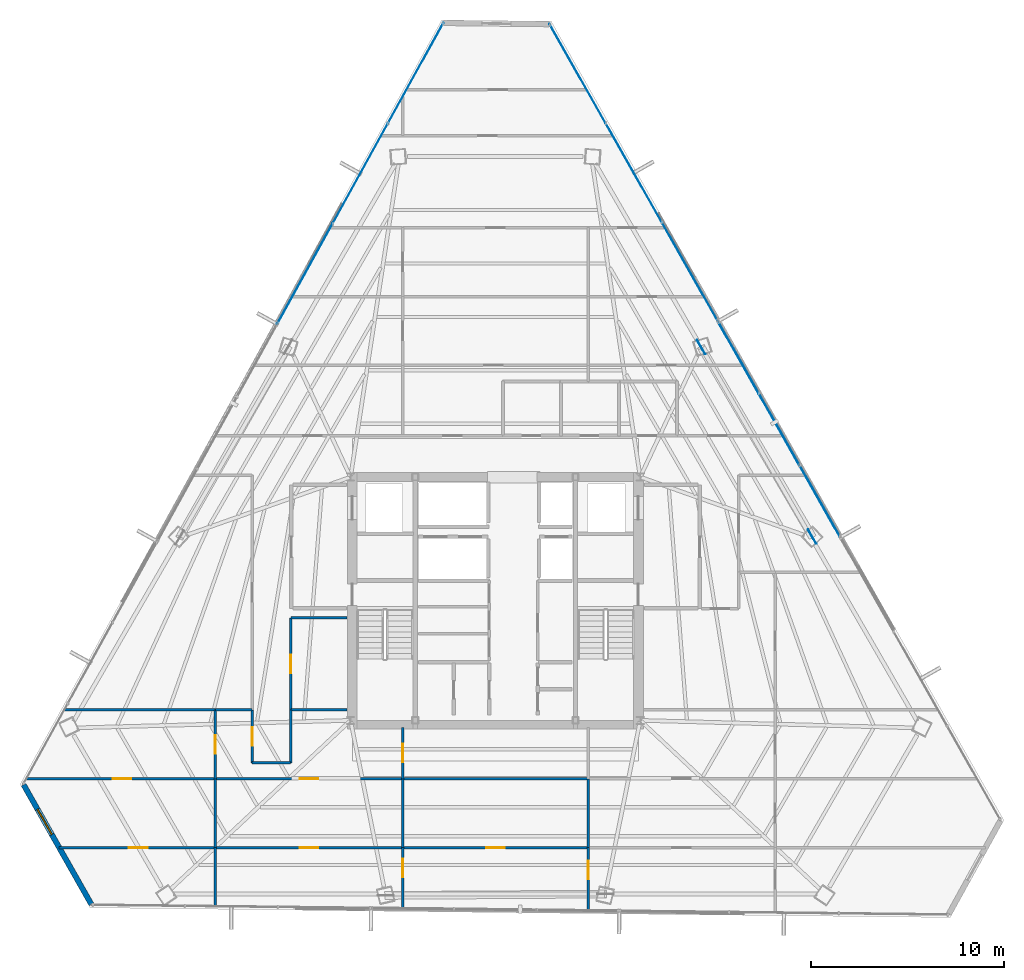
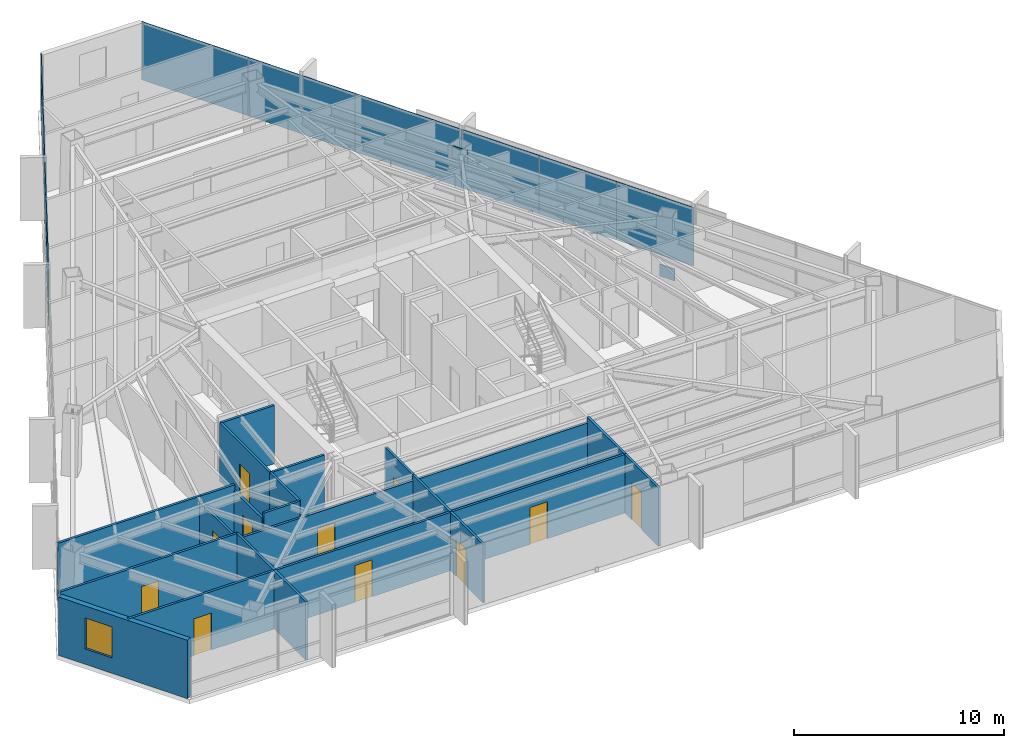
# One storey, part 35 of 42: 23 walls, 11 doors, 11 plates, 1 window, 12 openings, 3 elements without a shape of their own.
"""IFC4 building model written with IfcOpenShell, lengths in metres."""

from ifc_helpers import new_model, si_unit, direction, frame, frame_2d, origin, origin_2d, place, context, subcontext, project, spatial, rectangle, extrude, source, transform, mapped, material, layer, layer_set, type_object, type_shapes, element, fill, aggregate, save


model = new_model("IFC4")

# Units and contexts
model_context = context("Model", 3, precision=1e-05, world=origin(), true_north=direction((0.0, 1.0)))
body_context = subcontext(model_context, "Body", "Model", "MODEL_VIEW")
ifc_project = project(units=[si_unit("LENGTHUNIT", "METRE"), si_unit("AREAUNIT", "SQUARE_METRE"), si_unit("VOLUMEUNIT", "CUBIC_METRE"), si_unit("PLANEANGLEUNIT", "RADIAN"), si_unit("MASSUNIT", "GRAM", prefix="KILO")], contexts=[model_context])

# Site, building, storey
site_placement = place(None, origin())
site = spatial("IfcSite", under=ifc_project, at=site_placement, CompositionType="ELEMENT")
building_placement = place(site_placement, origin())
building = spatial("IfcBuilding", under=site, at=building_placement, Name="Caelisora Broadcast Tower", CompositionType="ELEMENT")
storey_placement = place(building_placement, frame((0.0, 0.0, 205.949951171875)))
storey = spatial("IfcBuildingStorey", under=building, at=storey_placement, Name="L54", CompositionType="ELEMENT", Elevation=205.949951171875)

# Plates
ifc_material_1 = material(Name="Steel Grade 350 L15 (AS/NZS 3678)", Category="steel")
ifc_layer_1 = layer(ifc_material_1, 0.0400390625, Name="Steel Grade 350 L15 (AS/NZS 3678)")
ifc_layer_set_1 = layer_set([ifc_layer_1], Name="Steel Grade 350 L15 (AS/NZS 3678)")
plate_type_1 = type_object("IfcPlateType", Name="GP04", PredefinedType="USERDEFINED", material=ifc_layer_set_1)
shared_shape_1 = source(origin(), body_context, "Body", "SweptSolid", [
    extrude(rectangle(XDim=0.85009765625, YDim=0.0400390625, at=origin_2d()), origin(), (0.0, 0.0, 1.0), 0.699951171875),
])
type_shapes(plate_type_1, [shared_shape_1])
for number, where, z_axis, x_axis, name in (
    (1, (54.407470703125, 26.916259765625, -0.22998046875), (0.0, 0.0, 1.0), (-0.5, 0.866025403784, 0.0), "L54 gusset plate GP04 (ND-L54-C10B)"),
    (2, (48.658447265625, 36.72900390625, 2.72998046875), (0.0, 0.0, 1.0), (-0.5, 0.866025403784, 0.0), "L54 gusset plate GP04 (ND-L54-C11T)"),
):
    element("IfcPlate", number, at=place(storey_placement, frame(where, z_axis=z_axis, x_axis=x_axis)), inside=storey, type_object=plate_type_1, Name=name, ObjectType="GUSSET PLATE", PredefinedType="USERDEFINED", context=body_context, shape_type="MappedRepresentation", body=[
        mapped(shared_shape_1, transform((0.0, 0.0, 0.0), scale=1.0)),
    ])

# Curtain wall, plates
ifc_material_2 = material(Name="Unitised Aluminium and Low-E Glass Curtain Wall", Category="glass")
curtain_wall_type_1 = type_object("IfcCurtainWallType", Name="CW-Z4", PredefinedType="NOTDEFINED", material=ifc_material_2)
curtain_wall_1_placement = place(storey_placement, origin())
curtain_wall_1 = element("IfcCurtainWall", 3, at=curtain_wall_1_placement, inside=storey, type_object=curtain_wall_type_1, Name="L54 curtain wall CW-Z4", PredefinedType="NOTDEFINED")
ifc_material_3 = material(Name="Double Glazed Low-E Argon IGU", Category="glass")
ifc_layer_2 = layer(ifc_material_3, 0.030029296875, Name="Double Glazed Low-E Argon IGU")
ifc_layer_set_2 = layer_set([ifc_layer_2], Name="Double Glazed Low-E Argon IGU")
plate_type_2 = type_object("IfcPlateType", Name="CWP-05", PredefinedType="CURTAIN_PANEL", material=ifc_layer_set_2)
shared_shape_2 = source(origin(), body_context, "Body", "SweptSolid", [
    extrude(rectangle(XDim=5.895263671875, YDim=0.030029296875, at=origin_2d()), origin(), (0.0, 0.0, 1.0), 3.39990234375),
])
plate_1_placement = place(storey_placement, frame((42.259033203125, 50.892333984375, 0.0), z_axis=(0.0, 0.0, 1.0), x_axis=(0.493031062956, -0.87001170737, 0.0)))
plate_1 = element("IfcPlate", 4, at=plate_1_placement, type_object=plate_type_2, Name="L54-CW-B01 glazed panel #1", PredefinedType="CURTAIN_PANEL", context=body_context, shape_type="MappedRepresentation", body=[
    mapped(shared_shape_2, transform((0.0, 0.0, 0.0), scale=1.0)),
])
plate_2_placement = place(storey_placement, frame((45.165283203125, 45.76318359375, 0.0), z_axis=(0.0, 0.0, 1.0), x_axis=(0.493031062956, -0.87001170737, 0.0)))
plate_2 = element("IfcPlate", 5, at=plate_2_placement, type_object=plate_type_2, Name="L54-CW-B01 glazed panel #2", PredefinedType="CURTAIN_PANEL", context=body_context, shape_type="MappedRepresentation", body=[
    mapped(shared_shape_2, transform((0.0, 0.0, 0.0), scale=1.0)),
])
plate_3_placement = place(storey_placement, frame((48.071533203125, 40.63427734375, 0.0), z_axis=(0.0, 0.0, 1.0), x_axis=(0.493031062956, -0.87001170737, 0.0)))
plate_3 = element("IfcPlate", 6, at=plate_3_placement, type_object=plate_type_2, Name="L54-CW-B01 glazed panel #3", PredefinedType="CURTAIN_PANEL", context=body_context, shape_type="MappedRepresentation", body=[
    mapped(shared_shape_2, transform((0.0, 0.0, 0.0), scale=1.0)),
])
aggregate(curtain_wall_1, [plate_1, plate_2, plate_3])

ifc_material_4 = material(Name="Unitised Aluminium Insulated Shadow-Box Spandrel Curtain Wall", Category="aluminium")
curtain_wall_type_2 = type_object("IfcCurtainWallType", Name="CW-SP2", PredefinedType="NOTDEFINED", material=ifc_material_4)
curtain_wall_2_placement = place(storey_placement, origin())
curtain_wall_2 = element("IfcCurtainWall", 7, at=curtain_wall_2_placement, inside=storey, type_object=curtain_wall_type_2, Name="L54 curtain wall CW-SP2", PredefinedType="NOTDEFINED")
ifc_material_5 = material(Name="Insulated Terracotta Shadow-Box Spandrel Panel", Category="aluminium")
ifc_layer_3 = layer(ifc_material_5, 0.0439453125, Name="Insulated Terracotta Shadow-Box Spandrel Panel")
ifc_layer_set_3 = layer_set([ifc_layer_3], Name="Insulated Terracotta Shadow-Box Spandrel Panel")
plate_type_3 = type_object("IfcPlateType", Name="CWP-10", PredefinedType="CURTAIN_PANEL", material=ifc_layer_set_3)
shared_shape_3 = source(origin(), body_context, "Body", "SweptSolid", [
    extrude(rectangle(XDim=4.281982421875, YDim=0.0439453125, at=origin_2d()), origin(), (0.0, 0.0, 1.0), 3.39990234375),
])
type_shapes(plate_type_3, [shared_shape_3])
plate_4_placement = place(storey_placement, frame((50.585205078125, 36.197998046875, 0.0), z_axis=(0.0, 0.0, 1.0), x_axis=(0.493031062956, -0.87001170737, 0.0)))
plate_4 = element("IfcPlate", 8, at=plate_4_placement, type_object=plate_type_3, Name="L54-CW-B02 spandrel panel #1", PredefinedType="CURTAIN_PANEL", context=body_context, shape_type="MappedRepresentation", body=[
    mapped(shared_shape_3, transform((0.0, 0.0, 0.0), scale=1.0)),
])
plate_5_placement = place(storey_placement, frame((52.696044921875, 32.47265625, 0.0), z_axis=(0.0, 0.0, 1.0), x_axis=(0.493031062956, -0.87001170737, 0.0)))
plate_5 = element("IfcPlate", 9, at=plate_5_placement, type_object=plate_type_3, Name="L54-CW-B02 spandrel panel #2", PredefinedType="CURTAIN_PANEL", context=body_context, shape_type="MappedRepresentation", body=[
    mapped(shared_shape_3, transform((0.0, 0.0, 0.0), scale=1.0)),
])
plate_6_placement = place(storey_placement, frame((54.806884765625, 28.747314453125, 0.0), z_axis=(0.0, 0.0, 1.0), x_axis=(0.493031062956, -0.87001170737, 0.0)))
plate_6 = element("IfcPlate", 10, at=plate_6_placement, type_object=plate_type_3, Name="L54-CW-B02 spandrel panel #3", PredefinedType="CURTAIN_PANEL", context=body_context, shape_type="MappedRepresentation", body=[
    mapped(shared_shape_3, transform((0.0, 0.0, 0.0), scale=1.0)),
])
aggregate(curtain_wall_2, [plate_4, plate_5, plate_6])

curtain_wall_3_placement = place(storey_placement, origin())
curtain_wall_3 = element("IfcCurtainWall", 11, at=curtain_wall_3_placement, inside=storey, type_object=curtain_wall_type_1, Name="L54 curtain wall CW-Z4", PredefinedType="NOTDEFINED")
shared_shape_4 = source(origin(), body_context, "Body", "SweptSolid", [
    extrude(rectangle(XDim=5.93603515625, YDim=0.030029296875, at=origin_2d()), origin(), (0.0, 0.0, 1.0), 3.39990234375),
])
type_shapes(plate_type_2, [shared_shape_2, shared_shape_4])
plate_7_placement = place(storey_placement, frame((28.136962890625, 40.525390625, 0.0), z_axis=(0.0, 0.0, 1.0), x_axis=(0.48312957851, 0.875548862354, 0.0)))
plate_7 = element("IfcPlate", 12, at=plate_7_placement, type_object=plate_type_2, Name="L54-CW-B11 glazed panel #1", PredefinedType="CURTAIN_PANEL", context=body_context, shape_type="MappedRepresentation", body=[
    mapped(shared_shape_4, transform((0.0, 0.0, 0.0), scale=1.0)),
])
plate_8_placement = place(storey_placement, frame((31.004638671875, 45.722900390625, 0.0), z_axis=(0.0, 0.0, 1.0), x_axis=(0.48312957851, 0.875548862354, 0.0)))
plate_8 = element("IfcPlate", 13, at=plate_8_placement, type_object=plate_type_2, Name="L54-CW-B11 glazed panel #2", PredefinedType="CURTAIN_PANEL", context=body_context, shape_type="MappedRepresentation", body=[
    mapped(shared_shape_4, transform((0.0, 0.0, 0.0), scale=1.0)),
])
plate_9_placement = place(storey_placement, frame((33.872314453125, 50.92041015625, 0.0), z_axis=(0.0, 0.0, 1.0), x_axis=(0.48312957851, 0.875548862354, 0.0)))
plate_9 = element("IfcPlate", 14, at=plate_9_placement, type_object=plate_type_2, Name="L54-CW-B11 glazed panel #3", PredefinedType="CURTAIN_PANEL", context=body_context, shape_type="MappedRepresentation", body=[
    mapped(shared_shape_4, transform((0.0, 0.0, 0.0), scale=1.0)),
])
aggregate(curtain_wall_3, [plate_7, plate_8, plate_9])

# Wall, opening, window
ifc_material_6 = material(Name="Insulated Terracotta Spandrel Wall System", Category="masonry")
ifc_layer_4 = layer(ifc_material_6, 0.280029296875, Name="Insulated Terracotta Spandrel Wall System")
ifc_layer_set_4 = layer_set([ifc_layer_4], Name="Insulated Terracotta Spandrel Wall System")
wall_type_1 = type_object("IfcWallType", Name="EW1", PredefinedType="STANDARD", material=ifc_layer_set_4)
wall_1_placement = place(storey_placement, frame((17.0791015625, 7.869140625, 0.0), z_axis=(0.0, 0.0, 1.0), x_axis=(-0.492983166026, 0.870038848566, 0.0)))
wall_1 = element("IfcWall", 15, at=wall_1_placement, inside=storey, type_object=wall_type_1, Name="L54 exterior envelope wall EW1", PredefinedType="STANDARD", context=body_context, shape_type="SweptSolid", body=[
    extrude(rectangle(XDim=7.122314453125, YDim=0.280029296875, at=frame_2d((3.56103515625, 0.0))), origin(), (0.0, 0.0, 1.0), 3.400146484375),
])
opening_1_placement = place(wall_1_placement, frame((4.159912109375, 0.0, 0.89990234375)))
opening_1 = element("IfcOpeningElement", 16, at=opening_1_placement, cuts=wall_1, Name="Opening W02", PredefinedType="OPENING", context=body_context, shape_type="SweptSolid", body=[
    extrude(rectangle(XDim=1.5, YDim=1.800048828125, at=frame_2d((0.75, 0.89990234375))), frame((0.0, 0.152099609375, 0.0), z_axis=(0.0, -1.0, 0.0), x_axis=(1.0, 0.0, 0.0)), (0.0, 0.0, 1.0), 0.303955078125),
])
ifc_material_7 = material(Name="Double Glazed Terracotta-Framed Vision Window", Category="glass")
window_type = type_object("IfcWindowType", Name="W02", PartitioningType="SINGLE_PANEL", PredefinedType="WINDOW", material=ifc_material_7)
window_placement = place(opening_1_placement, origin())
window = element("IfcWindow", 17, at=window_placement, inside=storey, type_object=window_type, Name="L54 window W02 (L54-WN-CH4)", OverallHeight=1.800048828125, OverallWidth=1.5, PartitioningType="SINGLE_PANEL", PredefinedType="WINDOW", context=body_context, shape_type="SweptSolid", body=[
    extrude(rectangle(XDim=1.5, YDim=1.800048828125, at=frame_2d((0.75, 0.89990234375))), frame((0.0, 0.030029296875, 0.0), z_axis=(0.0, -1.0, 0.0), x_axis=(1.0, 0.0, 0.0)), (0.0, 0.0, 1.0), 0.06005859375),
])
fill(opening_1, window)

# Wall, opening, door
ifc_material_8 = material(Name="Acoustic Steel-Stud Plasterboard Partition", Category="gypsum")
ifc_layer_5 = layer(ifc_material_8, 0.1298828125, Name="Acoustic Steel-Stud Plasterboard Partition")
ifc_layer_set_5 = layer_set([ifc_layer_5], Name="Acoustic Steel-Stud Plasterboard Partition")
wall_type_2 = type_object("IfcWallType", Name="PW3", PredefinedType="PARTITIONING", material=ifc_layer_set_5)
wall_2_placement = place(storey_placement, frame((13.700439453125, 14.3701171875, 0.0), z_axis=(0.0, 0.0, 1.0), x_axis=(1.0, 0.0, 0.0)))
wall_2 = element("IfcWall", 18, at=wall_2_placement, inside=storey, type_object=wall_type_2, Name="L54 internal partition PW3", PredefinedType="PARTITIONING", context=body_context, shape_type="SweptSolid", body=[
    extrude(rectangle(XDim=9.794677734375, YDim=0.1298828125, at=frame_2d((4.8974609375, 0.0))), origin(), (0.0, 0.0, 1.0), 3.400146484375),
])
opening_2_placement = place(wall_2_placement, frame((4.472900390625, 0.0, 0.0)))
opening_2 = element("IfcOpeningElement", 19, at=opening_2_placement, cuts=wall_2, Name="Opening D01", PredefinedType="OPENING", context=body_context, shape_type="SweptSolid", body=[
    extrude(rectangle(XDim=0.9599609375, YDim=2.14990234375, at=frame_2d((0.47998046875, 1.074951171875))), frame((0.0, 0.076904296875, 0.0), z_axis=(0.0, -1.0, 0.0), x_axis=(1.0, 0.0, 0.0)), (0.0, 0.0, 1.0), 0.15380859375),
])
ifc_material_9 = material(Name="Solid-Core Timber Acoustic Office Door", Category="wood")
door_type = type_object("IfcDoorType", Name="D01", OperationType="NOTDEFINED", PredefinedType="DOOR", material=ifc_material_9)
door_1_placement = place(opening_2_placement, origin())
door_1 = element("IfcDoor", 20, at=door_1_placement, inside=storey, type_object=door_type, Name="L54 door D01 (L54-DR-P36D1)", OperationType="SINGLE_SWING_LEFT", OverallHeight=2.14990234375, OverallWidth=0.9599609375, PredefinedType="DOOR", context=body_context, shape_type="SweptSolid", body=[
    extrude(rectangle(XDim=0.9599609375, YDim=2.14990234375, at=frame_2d((0.47998046875, 1.074951171875))), frame((0.0, 0.02490234375, 0.0), z_axis=(0.0, -1.0, 0.0), x_axis=(1.0, 0.0, 0.0)), (0.0, 0.0, 1.0), 0.050048828125),
])
fill(opening_2, door_1)

wall_3_placement = place(storey_placement, frame((23.5048828125, 14.3701171875, 0.0), z_axis=(0.0, 0.0, 1.0), x_axis=(1.0, 0.0, 0.0)))
wall_3 = element("IfcWall", 21, at=wall_3_placement, inside=storey, type_object=wall_type_2, Name="L54 internal partition PW3", PredefinedType="PARTITIONING", context=body_context, shape_type="SweptSolid", body=[
    extrude(rectangle(XDim=9.690185546875, YDim=0.1298828125, at=frame_2d((4.84521484375, 0.0))), origin(), (0.0, 0.0, 1.0), 3.077880859375),
])
opening_3_placement = place(wall_3_placement, frame((4.364990234375, 0.0, 0.0)))
opening_3 = element("IfcOpeningElement", 22, at=opening_3_placement, cuts=wall_3, Name="Opening D01", PredefinedType="OPENING", context=body_context, shape_type="SweptSolid", body=[
    extrude(rectangle(XDim=0.9599609375, YDim=2.14990234375, at=frame_2d((0.47998046875, 1.074951171875))), frame((0.0, 0.076904296875, 0.0), z_axis=(0.0, -1.0, 0.0), x_axis=(1.0, 0.0, 0.0)), (0.0, 0.0, 1.0), 0.15380859375),
])
door_2_placement = place(opening_3_placement, origin())
door_2 = element("IfcDoor", 23, at=door_2_placement, inside=storey, type_object=door_type, Name="L54 door D01 (L54-DR-P37D1)", OperationType="SINGLE_SWING_RIGHT", OverallHeight=2.14990234375, OverallWidth=0.9599609375, PredefinedType="DOOR", context=body_context, shape_type="SweptSolid", body=[
    extrude(rectangle(XDim=0.9599609375, YDim=2.14990234375, at=frame_2d((0.47998046875, 1.074951171875))), frame((0.0, 0.02490234375, 0.0), z_axis=(0.0, -1.0, 0.0), x_axis=(1.0, 0.0, 0.0)), (0.0, 0.0, 1.0), 0.050048828125),
])
fill(opening_3, door_2)

wall_4_placement = place(storey_placement, frame((23.5048828125, 10.81005859375, 0.0), z_axis=(0.0, 0.0, 1.0), x_axis=(1.0, 0.0, 0.0)))
wall_4 = element("IfcWall", 24, at=wall_4_placement, inside=storey, type_object=wall_type_2, Name="L54 internal partition PW3", PredefinedType="PARTITIONING", context=body_context, shape_type="SweptSolid", body=[
    extrude(rectangle(XDim=9.690185546875, YDim=0.1298828125, at=frame_2d((4.84521484375, 0.0))), origin(), (0.0, 0.0, 1.0), 3.400146484375),
])
opening_4_placement = place(wall_4_placement, frame((4.364990234375, 0.0, 0.0)))
opening_4 = element("IfcOpeningElement", 25, at=opening_4_placement, cuts=wall_4, Name="Opening D01", PredefinedType="OPENING", context=body_context, shape_type="SweptSolid", body=[
    extrude(rectangle(XDim=0.9599609375, YDim=2.14990234375, at=frame_2d((0.47998046875, 1.074951171875))), frame((0.0, 0.076904296875, 0.0), z_axis=(0.0, -1.0, 0.0), x_axis=(1.0, 0.0, 0.0)), (0.0, 0.0, 1.0), 0.15380859375),
])
door_3_placement = place(opening_4_placement, origin())
door_3 = element("IfcDoor", 26, at=door_3_placement, inside=storey, type_object=door_type, Name="L54 door D01 (L54-DR-P38D1)", OperationType="SINGLE_SWING_LEFT", OverallHeight=2.14990234375, OverallWidth=0.9599609375, PredefinedType="DOOR", context=body_context, shape_type="SweptSolid", body=[
    extrude(rectangle(XDim=0.9599609375, YDim=2.14990234375, at=frame_2d((0.47998046875, 1.074951171875))), frame((0.0, 0.02490234375, 0.0), z_axis=(0.0, -1.0, 0.0), x_axis=(1.0, 0.0, 0.0)), (0.0, 0.0, 1.0), 0.050048828125),
])
fill(opening_4, door_3)

wall_5_placement = place(storey_placement, frame((33.205078125, 10.81005859375, 0.0), z_axis=(0.0, 0.0, 1.0), x_axis=(1.0, 0.0, 0.0)))
wall_5 = element("IfcWall", 27, at=wall_5_placement, inside=storey, type_object=wall_type_2, Name="L54 internal partition PW3", PredefinedType="PARTITIONING", context=body_context, shape_type="SweptSolid", body=[
    extrude(rectangle(XDim=9.58984375, YDim=0.1298828125, at=frame_2d((4.794921875, 0.0))), origin(), (0.0, 0.0, 1.0), 3.400146484375),
])
opening_5_placement = place(wall_5_placement, frame((4.31494140625, 0.0, 0.0)))
opening_5 = element("IfcOpeningElement", 28, at=opening_5_placement, cuts=wall_5, Name="Opening D01", PredefinedType="OPENING", context=body_context, shape_type="SweptSolid", body=[
    extrude(rectangle(XDim=0.9599609375, YDim=2.14990234375, at=frame_2d((0.47998046875, 1.074951171875))), frame((0.0, 0.076904296875, 0.0), z_axis=(0.0, -1.0, 0.0), x_axis=(1.0, 0.0, 0.0)), (0.0, 0.0, 1.0), 0.15380859375),
])
door_4_placement = place(opening_5_placement, origin())
door_4 = element("IfcDoor", 29, at=door_4_placement, inside=storey, type_object=door_type, Name="L54 door D01 (L54-DR-P41D1)", OperationType="SINGLE_SWING_RIGHT", OverallHeight=2.14990234375, OverallWidth=0.9599609375, PredefinedType="DOOR", context=body_context, shape_type="SweptSolid", body=[
    extrude(rectangle(XDim=0.9599609375, YDim=2.14990234375, at=frame_2d((0.47998046875, 1.074951171875))), frame((0.0, 0.02490234375, 0.0), z_axis=(0.0, -1.0, 0.0), x_axis=(1.0, 0.0, 0.0)), (0.0, 0.0, 1.0), 0.050048828125),
])
fill(opening_5, door_4)

# Wall
wall_6_placement = place(storey_placement, frame((33.205078125, 14.3701171875, 0.0), z_axis=(0.0, 0.0, 1.0), x_axis=(1.0, 0.0, 0.0)))
element("IfcWall", 30, at=wall_6_placement, inside=storey, type_object=wall_type_2, Name="L54 internal partition PW3", PredefinedType="PARTITIONING", context=body_context, shape_type="SweptSolid", body=[
    extrude(rectangle(XDim=9.58984375, YDim=0.1298828125, at=frame_2d((4.794921875, 0.0))), origin(), (0.0, 0.0, 1.0), 3.077880859375),
])

# Wall, opening, door
wall_7_placement = place(storey_placement, frame((15.406982421875, 10.81005859375, 0.0), z_axis=(0.0, 0.0, 1.0), x_axis=(1.0, 0.0, 0.0)))
wall_7 = element("IfcWall", 31, at=wall_7_placement, inside=storey, type_object=wall_type_2, Name="L54 internal partition PW3", PredefinedType="PARTITIONING", context=body_context, shape_type="SweptSolid", body=[
    extrude(rectangle(XDim=8.088134765625, YDim=0.1298828125, at=frame_2d((4.0439453125, 0.0))), origin(), (0.0, 0.0, 1.0), 3.400146484375),
])
opening_6_placement = place(wall_7_placement, frame((3.617919921875, 0.0, 0.0)))
opening_6 = element("IfcOpeningElement", 32, at=opening_6_placement, cuts=wall_7, Name="Opening D01", PredefinedType="OPENING", context=body_context, shape_type="SweptSolid", body=[
    extrude(rectangle(XDim=0.9599609375, YDim=2.14990234375, at=frame_2d((0.47998046875, 1.074951171875))), frame((0.0, 0.076904296875, 0.0), z_axis=(0.0, -1.0, 0.0), x_axis=(1.0, 0.0, 0.0)), (0.0, 0.0, 1.0), 0.15380859375),
])
door_5_placement = place(opening_6_placement, origin())
door_5 = element("IfcDoor", 33, at=door_5_placement, inside=storey, type_object=door_type, Name="L54 door D01 (L54-DR-P49D1)", OperationType="SINGLE_SWING_RIGHT", OverallHeight=2.14990234375, OverallWidth=0.9599609375, PredefinedType="DOOR", context=body_context, shape_type="SweptSolid", body=[
    extrude(rectangle(XDim=0.9599609375, YDim=2.14990234375, at=frame_2d((0.47998046875, 1.074951171875))), frame((0.0, 0.02490234375, 0.0), z_axis=(0.0, -1.0, 0.0), x_axis=(1.0, 0.0, 0.0)), (0.0, 0.0, 1.0), 0.050048828125),
])
fill(opening_6, door_5)

# Wall
wall_8_placement = place(storey_placement, frame((15.670166015625, 17.93994140625, 0.0), z_axis=(0.0, 0.0, 1.0), x_axis=(1.0, 0.0, 0.0)))
element("IfcWall", 34, at=wall_8_placement, inside=storey, type_object=wall_type_2, Name="L54 internal partition PW3", PredefinedType="PARTITIONING", context=body_context, shape_type="SweptSolid", body=[
    extrude(rectangle(XDim=7.824951171875, YDim=0.1298828125, at=frame_2d((3.91259765625, 0.0))), origin(), (0.0, 0.0, 1.0), 3.400146484375),
])

# Wall, opening, door
wall_9_placement = place(storey_placement, frame((27.39990234375, 17.945068359375, 0.0), z_axis=(0.0, 0.0, 1.0), x_axis=(0.0, 1.0, 0.0)))
wall_9 = element("IfcWall", 35, at=wall_9_placement, inside=storey, type_object=wall_type_2, Name="L54 internal partition PW3", PredefinedType="PARTITIONING", context=body_context, shape_type="SweptSolid", body=[
    extrude(rectangle(XDim=4.760009765625, YDim=0.1298828125, at=frame_2d((2.3798828125, 0.0))), origin(), (0.0, 0.0, 1.0), 3.400146484375),
])
opening_7_placement = place(wall_9_placement, frame((1.89990234375, 0.0, 0.0)))
opening_7 = element("IfcOpeningElement", 36, at=opening_7_placement, cuts=wall_9, Name="Opening D01", PredefinedType="OPENING", context=body_context, shape_type="SweptSolid", body=[
    extrude(rectangle(XDim=0.9599609375, YDim=2.14990234375, at=frame_2d((0.47998046875, 1.074951171875))), frame((0.0, 0.076904296875, 0.0), z_axis=(0.0, -1.0, 0.0), x_axis=(1.0, 0.0, 0.0)), (0.0, 0.0, 1.0), 0.15380859375),
])
door_6_placement = place(opening_7_placement, origin())
door_6 = element("IfcDoor", 37, at=door_6_placement, inside=storey, type_object=door_type, Name="L54 door D01 (L54-DR-P59D1)", OperationType="SINGLE_SWING_RIGHT", OverallHeight=2.14990234375, OverallWidth=0.9599609375, PredefinedType="DOOR", context=body_context, shape_type="SweptSolid", body=[
    extrude(rectangle(XDim=0.9599609375, YDim=2.14990234375, at=frame_2d((0.47998046875, 1.074951171875))), frame((0.0, 0.02490234375, 0.0), z_axis=(0.0, -1.0, 0.0), x_axis=(1.0, 0.0, 0.0)), (0.0, 0.0, 1.0), 0.050048828125),
])
fill(opening_7, door_6)

wall_10_placement = place(storey_placement, frame((23.5, 14.375, 0.0), z_axis=(0.0, 0.0, 1.0), x_axis=(0.0, 1.0, 0.0)))
wall_10 = element("IfcWall", 38, at=wall_10_placement, inside=storey, type_object=wall_type_2, Name="L54 internal partition PW3", PredefinedType="PARTITIONING", context=body_context, shape_type="SweptSolid", body=[
    extrude(rectangle(XDim=3.56005859375, YDim=0.1298828125, at=frame_2d((1.780029296875, 0.0))), origin(), (0.0, 0.0, 1.0), 3.077880859375),
])
opening_8_placement = place(wall_10_placement, frame((1.300048828125, 0.0, 0.0)))
opening_8 = element("IfcOpeningElement", 39, at=opening_8_placement, cuts=wall_10, Name="Opening D01", PredefinedType="OPENING", context=body_context, shape_type="SweptSolid", body=[
    extrude(rectangle(XDim=0.9599609375, YDim=2.14990234375, at=frame_2d((0.47998046875, 1.074951171875))), frame((0.0, 0.076904296875, 0.0), z_axis=(0.0, -1.0, 0.0), x_axis=(1.0, 0.0, 0.0)), (0.0, 0.0, 1.0), 0.15380859375),
])
door_7_placement = place(opening_8_placement, origin())
door_7 = element("IfcDoor", 40, at=door_7_placement, inside=storey, type_object=door_type, Name="L54 door D01 (L54-DR-P63D1)", OperationType="SINGLE_SWING_RIGHT", OverallHeight=2.14990234375, OverallWidth=0.9599609375, PredefinedType="DOOR", context=body_context, shape_type="SweptSolid", body=[
    extrude(rectangle(XDim=0.9599609375, YDim=2.14990234375, at=frame_2d((0.47998046875, 1.074951171875))), frame((0.0, 0.02490234375, 0.0), z_axis=(0.0, -1.0, 0.0), x_axis=(1.0, 0.0, 0.0)), (0.0, 0.0, 1.0), 0.050048828125),
])
fill(opening_8, door_7)

# Walls
for number, where, z_axis, x_axis, name in (
    (41, (23.5, 10.81494140625, 0.0), (0.0, 0.0, 1.0), (0.0, 1.0, 0.0), "L54 internal partition PW3"),
    (42, (33.199951171875, 10.81494140625, 0.0), (0.0, 0.0, 1.0), (0.0, 1.0, 0.0), "L54 internal partition PW3"),
    (43, (42.800048828125, 10.81494140625, 0.0), (0.0, 0.0, 1.0), (0.0, 1.0, 0.0), "L54 internal partition PW3"),
):
    element("IfcWall", number, at=place(storey_placement, frame(where, z_axis=z_axis, x_axis=x_axis)), inside=storey, type_object=wall_type_2, Name=name, PredefinedType="PARTITIONING", context=body_context, shape_type="SweptSolid", body=[
        extrude(rectangle(XDim=3.550048828125, YDim=0.1298828125, at=frame_2d((1.77490234375, 0.0))), origin(), (0.0, 0.0, 1.0), 3.400146484375),
    ])

# Wall, opening, door
wall_11_placement = place(storey_placement, frame((42.800048828125, 7.54541015625, 0.0), z_axis=(0.0, 0.0, 1.0), x_axis=(0.0, 1.0, 0.0)))
wall_11 = element("IfcWall", 44, at=wall_11_placement, inside=storey, type_object=wall_type_2, Name="L54 internal partition PW3", PredefinedType="PARTITIONING", context=body_context, shape_type="SweptSolid", body=[
    extrude(rectangle(XDim=3.259521484375, YDim=0.1298828125, at=frame_2d((1.6298828125, 0.0))), origin(), (0.0, 0.0, 1.0), 3.400146484375),
])
opening_9_placement = place(wall_11_placement, frame((1.6201171875, 0.0, 0.0)))
opening_9 = element("IfcOpeningElement", 45, at=opening_9_placement, cuts=wall_11, Name="Opening D01", PredefinedType="OPENING", context=body_context, shape_type="SweptSolid", body=[
    extrude(rectangle(XDim=0.9599609375, YDim=2.14990234375, at=frame_2d((0.47998046875, 1.074951171875))), frame((0.0, 0.076904296875, 0.0), z_axis=(0.0, -1.0, 0.0), x_axis=(1.0, 0.0, 0.0)), (0.0, 0.0, 1.0), 0.15380859375),
])
door_8_placement = place(opening_9_placement, origin())
door_8 = element("IfcDoor", 46, at=door_8_placement, inside=storey, type_object=door_type, Name="L54 door D01 (L54-DR-P76D1)", OperationType="SINGLE_SWING_RIGHT", OverallHeight=2.14990234375, OverallWidth=0.9599609375, PredefinedType="DOOR", context=body_context, shape_type="SweptSolid", body=[
    extrude(rectangle(XDim=0.9599609375, YDim=2.14990234375, at=frame_2d((0.47998046875, 1.074951171875))), frame((0.0, 0.02490234375, 0.0), z_axis=(0.0, -1.0, 0.0), x_axis=(1.0, 0.0, 0.0)), (0.0, 0.0, 1.0), 0.050048828125),
])
fill(opening_9, door_8)

wall_12_placement = place(storey_placement, frame((33.199951171875, 7.65478515625, 0.0), z_axis=(0.0, 0.0, 1.0), x_axis=(0.0, 1.0, 0.0)))
wall_12 = element("IfcWall", 47, at=wall_12_placement, inside=storey, type_object=wall_type_2, Name="L54 internal partition PW3", PredefinedType="PARTITIONING", context=body_context, shape_type="SweptSolid", body=[
    extrude(rectangle(XDim=3.150146484375, YDim=0.1298828125, at=frame_2d((1.5751953125, 0.0))), origin(), (0.0, 0.0, 1.0), 3.400146484375),
])
opening_10_placement = place(wall_12_placement, frame((1.6201171875, 0.0, 0.0)))
opening_10 = element("IfcOpeningElement", 48, at=opening_10_placement, cuts=wall_12, Name="Opening D01", PredefinedType="OPENING", context=body_context, shape_type="SweptSolid", body=[
    extrude(rectangle(XDim=0.9599609375, YDim=2.14990234375, at=frame_2d((0.47998046875, 1.074951171875))), frame((0.0, 0.076904296875, 0.0), z_axis=(0.0, -1.0, 0.0), x_axis=(1.0, 0.0, 0.0)), (0.0, 0.0, 1.0), 0.15380859375),
])
door_9_placement = place(opening_10_placement, origin())
door_9 = element("IfcDoor", 49, at=door_9_placement, inside=storey, type_object=door_type, Name="L54 door D01 (L54-DR-P77D1)", OperationType="SINGLE_SWING_LEFT", OverallHeight=2.14990234375, OverallWidth=0.9599609375, PredefinedType="DOOR", context=body_context, shape_type="SweptSolid", body=[
    extrude(rectangle(XDim=0.9599609375, YDim=2.14990234375, at=frame_2d((0.47998046875, 1.074951171875))), frame((0.0, 0.02490234375, 0.0), z_axis=(0.0, -1.0, 0.0), x_axis=(1.0, 0.0, 0.0)), (0.0, 0.0, 1.0), 0.050048828125),
])
fill(opening_10, door_9)

# Walls
wall_13_placement = place(storey_placement, frame((23.5, 7.76513671875, 0.0), z_axis=(0.0, 0.0, 1.0), x_axis=(0.0, 1.0, 0.0)))
element("IfcWall", 50, at=wall_13_placement, inside=storey, type_object=wall_type_2, Name="L54 internal partition PW3", PredefinedType="PARTITIONING", context=body_context, shape_type="SweptSolid", body=[
    extrude(rectangle(XDim=3.039794921875, YDim=0.1298828125, at=frame_2d((1.52001953125, 0.0))), origin(), (0.0, 0.0, 1.0), 3.400146484375),
])
for number, where, z_axis, x_axis, name in (
    (51, (27.405029296875, 17.93994140625, 0.0), (0.0, 0.0, 1.0), (1.0, 0.0, 0.0), "L54 internal partition PW3"),
    (52, (27.405029296875, 22.7099609375, 0.0), (0.0, 0.0, 1.0), (1.0, 0.0, 0.0), "L54 internal partition PW3"),
):
    element("IfcWall", number, at=place(storey_placement, frame(where, z_axis=z_axis, x_axis=x_axis)), inside=storey, type_object=wall_type_2, Name=name, PredefinedType="PARTITIONING", context=body_context, shape_type="SweptSolid", body=[
        extrude(rectangle(XDim=2.919921875, YDim=0.1298828125, at=frame_2d((1.4599609375, 0.0))), origin(), (0.0, 0.0, 1.0), 3.400146484375),
    ])

# Wall, opening, door
wall_14_placement = place(storey_placement, frame((25.39990234375, 17.93505859375, 0.0), z_axis=(0.0, 0.0, 1.0), x_axis=(0.0, -1.0, 0.0)))
wall_14 = element("IfcWall", 53, at=wall_14_placement, inside=storey, type_object=wall_type_2, Name="L54 internal partition PW3", PredefinedType="PARTITIONING", context=body_context, shape_type="SweptSolid", body=[
    extrude(rectangle(XDim=2.72998046875, YDim=0.1298828125, at=frame_2d((1.364990234375, 0.0))), origin(), (0.0, 0.0, 1.0), 3.077880859375),
])
opening_11_placement = place(wall_14_placement, frame((0.885009765625, 0.0, 0.0)))
opening_11 = element("IfcOpeningElement", 54, at=opening_11_placement, cuts=wall_14, Name="Opening D01", PredefinedType="OPENING", context=body_context, shape_type="SweptSolid", body=[
    extrude(rectangle(XDim=0.9599609375, YDim=2.14990234375, at=frame_2d((0.47998046875, 1.074951171875))), frame((0.0, 0.076904296875, 0.0), z_axis=(0.0, -1.0, 0.0), x_axis=(1.0, 0.0, 0.0)), (0.0, 0.0, 1.0), 0.15380859375),
])
door_10_placement = place(opening_11_placement, origin())
door_10 = element("IfcDoor", 55, at=door_10_placement, inside=storey, type_object=door_type, Name="L54 door D01 (L54-DR-P82D1)", OperationType="SINGLE_SWING_RIGHT", OverallHeight=2.14990234375, OverallWidth=0.9599609375, PredefinedType="DOOR", context=body_context, shape_type="SweptSolid", body=[
    extrude(rectangle(XDim=0.9599609375, YDim=2.14990234375, at=frame_2d((0.47998046875, 1.074951171875))), frame((0.0, 0.02490234375, 0.0), z_axis=(0.0, -1.0, 0.0), x_axis=(1.0, 0.0, 0.0)), (0.0, 0.0, 1.0), 0.050048828125),
])
fill(opening_11, door_10)

# Wall
wall_15_placement = place(storey_placement, frame((27.39990234375, 15.205078125, 0.0), z_axis=(0.0, 0.0, 1.0), x_axis=(0.0, 1.0, 0.0)))
element("IfcWall", 56, at=wall_15_placement, inside=storey, type_object=wall_type_2, Name="L54 internal partition PW3", PredefinedType="PARTITIONING", context=body_context, shape_type="SweptSolid", body=[
    extrude(rectangle(XDim=2.72998046875, YDim=0.1298828125, at=frame_2d((1.364990234375, 0.0))), origin(), (0.0, 0.0, 1.0), 3.400146484375),
])

# Wall, opening, door
wall_16_placement = place(storey_placement, frame((33.199951171875, 14.375, 0.0), z_axis=(0.0, 0.0, 1.0), x_axis=(0.0, 1.0, 0.0)))
wall_16 = element("IfcWall", 57, at=wall_16_placement, inside=storey, type_object=wall_type_2, Name="L54 internal partition PW3", PredefinedType="PARTITIONING", context=body_context, shape_type="SweptSolid", body=[
    extrude(rectangle(XDim=2.64990234375, YDim=0.1298828125, at=frame_2d((1.324951171875, 0.0))), origin(), (0.0, 0.0, 1.0), 3.400146484375),
])
opening_12_placement = place(wall_16_placement, frame((0.844970703125, 0.0, 0.0)))
opening_12 = element("IfcOpeningElement", 58, at=opening_12_placement, cuts=wall_16, Name="Opening D01", PredefinedType="OPENING", context=body_context, shape_type="SweptSolid", body=[
    extrude(rectangle(XDim=0.9599609375, YDim=2.14990234375, at=frame_2d((0.47998046875, 1.074951171875))), frame((0.0, 0.076904296875, 0.0), z_axis=(0.0, -1.0, 0.0), x_axis=(1.0, 0.0, 0.0)), (0.0, 0.0, 1.0), 0.15380859375),
])
door_11_placement = place(opening_12_placement, origin())
door_11 = element("IfcDoor", 59, at=door_11_placement, inside=storey, type_object=door_type, Name="L54 door D01 (L54-DR-P84D1)", OperationType="SINGLE_SWING_LEFT", OverallHeight=2.14990234375, OverallWidth=0.9599609375, PredefinedType="DOOR", context=body_context, shape_type="SweptSolid", body=[
    extrude(rectangle(XDim=0.9599609375, YDim=2.14990234375, at=frame_2d((0.47998046875, 1.074951171875))), frame((0.0, 0.02490234375, 0.0), z_axis=(0.0, -1.0, 0.0), x_axis=(1.0, 0.0, 0.0)), (0.0, 0.0, 1.0), 0.050048828125),
])
fill(opening_12, door_11)

# Walls
wall_17_placement = place(storey_placement, frame((25.405029296875, 15.199951171875, 0.0), z_axis=(0.0, 0.0, 1.0), x_axis=(1.0, 0.0, 0.0)))
element("IfcWall", 60, at=wall_17_placement, inside=storey, type_object=wall_type_2, Name="L54 internal partition PW3", PredefinedType="PARTITIONING", context=body_context, shape_type="SweptSolid", body=[
    extrude(rectangle(XDim=1.989990234375, YDim=0.1298828125, at=frame_2d((0.9951171875, 0.0))), origin(), (0.0, 0.0, 1.0), 3.400146484375),
])
wall_18_placement = place(storey_placement, frame((23.5048828125, 17.93994140625, 0.0), z_axis=(0.0, 0.0, 1.0), x_axis=(1.0, 0.0, 0.0)))
element("IfcWall", 61, at=wall_18_placement, inside=storey, type_object=wall_type_2, Name="L54 internal partition PW3", PredefinedType="PARTITIONING", context=body_context, shape_type="SweptSolid", body=[
    extrude(rectangle(XDim=1.89013671875, YDim=0.1298828125, at=frame_2d((0.945068359375, 0.0))), origin(), (0.0, 0.0, 1.0), 3.400146484375),
])

save(model, "model.ifc")
